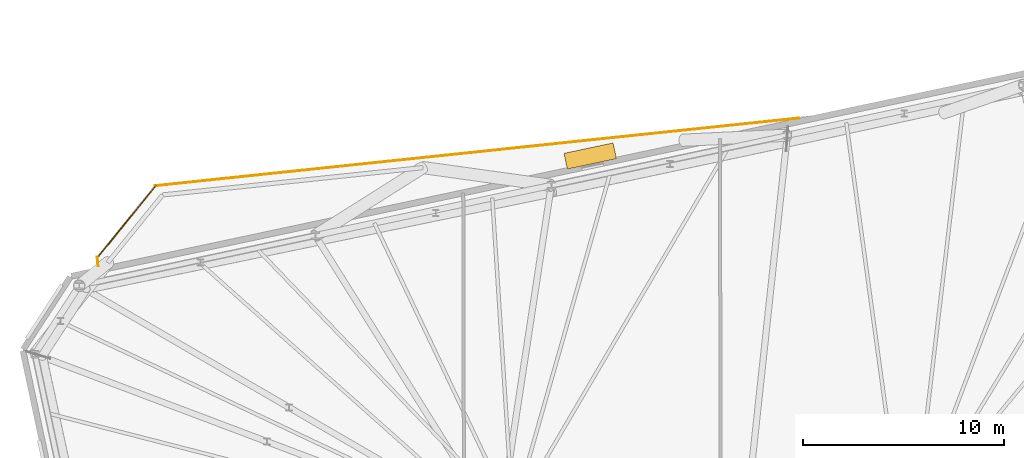
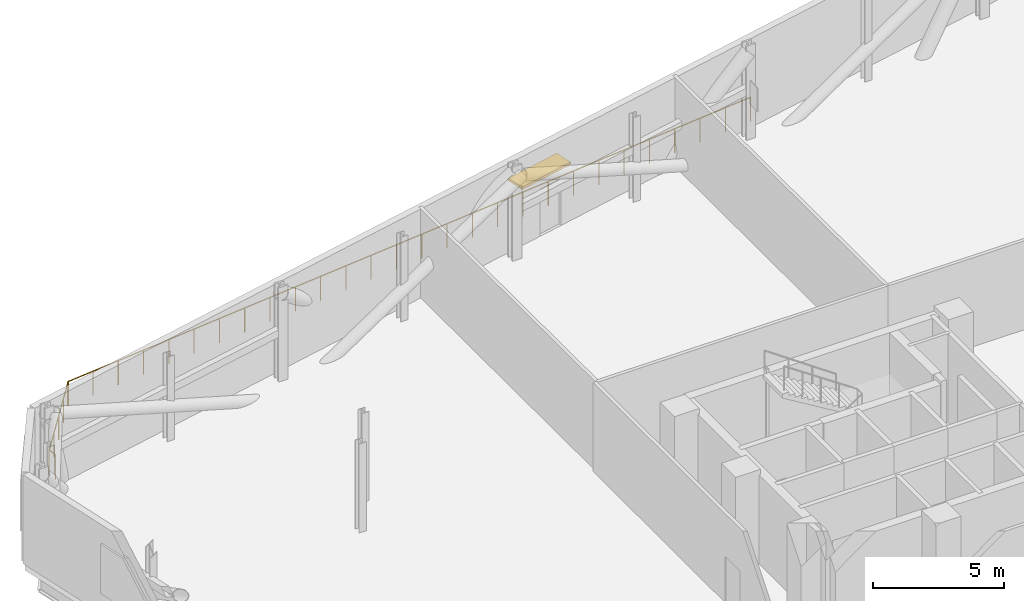
# One storey, part 18 of 19: 3 railings, 1 shading device.
"""IFC4 building model written with IfcOpenShell, lengths in metres."""

from ifc_helpers import new_model, si_unit, direction, frame, origin, origin_2d, place, context, subcontext, project, spatial, rectangle, circle, extrude, material, layer, layer_set, type_object, element, save


model = new_model("IFC4")

# Units and contexts
model_context = context("Model", 3, precision=1e-05, world=origin(), true_north=direction((0.0, 1.0)))
body_context = subcontext(model_context, "Body", "Model", "MODEL_VIEW")
ifc_project = project(units=[si_unit("LENGTHUNIT", "METRE"), si_unit("AREAUNIT", "SQUARE_METRE"), si_unit("VOLUMEUNIT", "CUBIC_METRE"), si_unit("PLANEANGLEUNIT", "RADIAN"), si_unit("MASSUNIT", "GRAM", prefix="KILO")], contexts=[model_context])

# Site, building, storey
site_placement = place(None, origin())
site = spatial("IfcSite", under=ifc_project, at=site_placement, CompositionType="ELEMENT")
building_placement = place(site_placement, origin())
building = spatial("IfcBuilding", under=site, at=building_placement, Name="Menara Jurai Vektor", CompositionType="ELEMENT")
storey_placement = place(building_placement, frame((0.0, 0.0, 142.89990234375)))
storey = spatial("IfcBuildingStorey", under=building, at=storey_placement, Name="L36", CompositionType="ELEMENT", Elevation=142.89990234375)

# Railings
ifc_material_1 = material(Name="Anodised Pale Aluminium & Laminated Glass Guardrail", Category="aluminium")
ifc_layer = layer(ifc_material_1, 0.070068359375)
ifc_layer_set = layer_set([ifc_layer], Name="Anodised Pale Aluminium & Laminated Glass Guardrail")
railing_type = type_object("IfcRailingType", Name="ENV-RAIL-TER115", PredefinedType="GUARDRAIL", material=ifc_layer_set)
railing_1_placement = place(storey_placement, frame((-0.28759765625, 25.393310546875, 0.0)))
element("IfcRailing", 1, at=railing_1_placement, inside=storey, type_object=railing_type, Name="Spiral Terrace Guardrail L36-STEP-01", PredefinedType="GUARDRAIL", context=body_context, shape_type="SweptSolid", body=[
    extrude(circle(Radius=0.02392578125, at=origin_2d()), frame((0.0, 0.0, 1.1259765625), z_axis=(-0.994521767664, -0.104529678286, 0.0), x_axis=(0.104529678286, -0.994521767664, 0.0)), (0.0, 0.0, 1.0), 32.28271484375),
    extrude(circle(Radius=0.02099609375, at=origin_2d()), origin(), (0.0, 0.0, 1.0), 1.101806640625),
    extrude(circle(Radius=0.02099609375, at=origin_2d()), frame((-1.189208984375, -0.125, 0.0)), (0.0, 0.0, 1.0), 1.101806640625),
    extrude(circle(Radius=0.02099609375, at=origin_2d()), frame((-2.378173828125, -0.25, 0.0)), (0.0, 0.0, 1.0), 1.101806640625),
    extrude(circle(Radius=0.02099609375, at=origin_2d()), frame((-3.5673828125, -0.375, 0.0)), (0.0, 0.0, 1.0), 1.101806640625),
    extrude(circle(Radius=0.02099609375, at=origin_2d()), frame((-4.75634765625, -0.5, 0.0)), (0.0, 0.0, 1.0), 1.101806640625),
    extrude(circle(Radius=0.02099609375, at=origin_2d()), frame((-5.945556640625, -0.625, 0.0)), (0.0, 0.0, 1.0), 1.101806640625),
    extrude(circle(Radius=0.02099609375, at=origin_2d()), frame((-7.134765625, -0.75, 0.0)), (0.0, 0.0, 1.0), 1.101806640625),
    extrude(circle(Radius=0.02099609375, at=origin_2d()), frame((-8.32373046875, -0.874755859375, 0.0)), (0.0, 0.0, 1.0), 1.101806640625),
    extrude(circle(Radius=0.02099609375, at=origin_2d()), frame((-9.512939453125, -0.999755859375, 0.0)), (0.0, 0.0, 1.0), 1.101806640625),
    extrude(circle(Radius=0.02099609375, at=origin_2d()), frame((-10.701904296875, -1.124755859375, 0.0)), (0.0, 0.0, 1.0), 1.101806640625),
    extrude(circle(Radius=0.02099609375, at=origin_2d()), frame((-11.89111328125, -1.249755859375, 0.0)), (0.0, 0.0, 1.0), 1.101806640625),
    extrude(circle(Radius=0.02099609375, at=origin_2d()), frame((-13.080322265625, -1.374755859375, 0.0)), (0.0, 0.0, 1.0), 1.101806640625),
    extrude(circle(Radius=0.02099609375, at=origin_2d()), frame((-14.269287109375, -1.499755859375, 0.0)), (0.0, 0.0, 1.0), 1.101806640625),
    extrude(circle(Radius=0.02099609375, at=origin_2d()), frame((-15.45849609375, -1.624755859375, 0.0)), (0.0, 0.0, 1.0), 1.101806640625),
    extrude(circle(Radius=0.02099609375, at=origin_2d()), frame((-16.6474609375, -1.749755859375, 0.0)), (0.0, 0.0, 1.0), 1.101806640625),
    extrude(circle(Radius=0.02099609375, at=origin_2d()), frame((-17.836669921875, -1.874755859375, 0.0)), (0.0, 0.0, 1.0), 1.101806640625),
    extrude(circle(Radius=0.02099609375, at=origin_2d()), frame((-19.025634765625, -1.999755859375, 0.0)), (0.0, 0.0, 1.0), 1.101806640625),
    extrude(circle(Radius=0.02099609375, at=origin_2d()), frame((-20.21484375, -2.124755859375, 0.0)), (0.0, 0.0, 1.0), 1.101806640625),
    extrude(circle(Radius=0.02099609375, at=origin_2d()), frame((-21.404052734375, -2.249755859375, 0.0)), (0.0, 0.0, 1.0), 1.101806640625),
    extrude(circle(Radius=0.02099609375, at=origin_2d()), frame((-22.593017578125, -2.374755859375, 0.0)), (0.0, 0.0, 1.0), 1.101806640625),
    extrude(circle(Radius=0.02099609375, at=origin_2d()), frame((-23.7822265625, -2.499755859375, 0.0)), (0.0, 0.0, 1.0), 1.101806640625),
    extrude(circle(Radius=0.02099609375, at=origin_2d()), frame((-24.97119140625, -2.62451171875, 0.0)), (0.0, 0.0, 1.0), 1.101806640625),
    extrude(circle(Radius=0.02099609375, at=origin_2d()), frame((-26.160400390625, -2.74951171875, 0.0)), (0.0, 0.0, 1.0), 1.101806640625),
    extrude(circle(Radius=0.02099609375, at=origin_2d()), frame((-27.349609375, -2.87451171875, 0.0)), (0.0, 0.0, 1.0), 1.101806640625),
    extrude(circle(Radius=0.02099609375, at=origin_2d()), frame((-28.53857421875, -2.99951171875, 0.0)), (0.0, 0.0, 1.0), 1.101806640625),
    extrude(circle(Radius=0.02099609375, at=origin_2d()), frame((-29.727783203125, -3.12451171875, 0.0)), (0.0, 0.0, 1.0), 1.101806640625),
    extrude(circle(Radius=0.02099609375, at=origin_2d()), frame((-30.916748046875, -3.24951171875, 0.0)), (0.0, 0.0, 1.0), 1.101806640625),
    extrude(circle(Radius=0.02099609375, at=origin_2d()), frame((-32.10595703125, -3.37451171875, 0.0)), (0.0, 0.0, 1.0), 1.101806640625),
])
railing_2_placement = place(storey_placement, frame((-32.353271484375, 22.04052734375, 0.0)))
element("IfcRailing", 2, at=railing_2_placement, inside=storey, type_object=railing_type, Name="Spiral Terrace Guardrail L36-STEP-02", PredefinedType="GUARDRAIL", context=body_context, shape_type="SweptSolid", body=[
    extrude(circle(Radius=0.02392578125, at=origin_2d()), frame((0.0, 0.0, 1.1259765625), z_axis=(-0.629341186592, -0.777129121099, 0.0), x_axis=(0.777129121099, -0.629341186592, 0.0)), (0.0, 0.0, 1.0), 4.666748046875),
    extrude(circle(Radius=0.02099609375, at=origin_2d()), origin(), (0.0, 0.0, 1.0), 1.101806640625),
    extrude(circle(Radius=0.02099609375, at=origin_2d()), frame((-0.734375, -0.90673828125, 0.0)), (0.0, 0.0, 1.0), 1.101806640625),
    extrude(circle(Radius=0.02099609375, at=origin_2d()), frame((-1.468505859375, -1.8134765625, 0.0)), (0.0, 0.0, 1.0), 1.101806640625),
    extrude(circle(Radius=0.02099609375, at=origin_2d()), frame((-2.20263671875, -2.719970703125, 0.0)), (0.0, 0.0, 1.0), 1.101806640625),
    extrude(circle(Radius=0.02099609375, at=origin_2d()), frame((-2.93701171875, -3.626708984375, 0.0)), (0.0, 0.0, 1.0), 1.101806640625),
])
railing_3_placement = place(storey_placement, frame((-35.277099609375, 18.4580078125, 0.0)))
element("IfcRailing", 3, at=railing_3_placement, inside=storey, type_object=railing_type, Name="Spiral Terrace Guardrail L36-STEP-03", PredefinedType="GUARDRAIL", context=body_context, shape_type="SweptSolid", body=[
    extrude(circle(Radius=0.02392578125, at=origin_2d()), frame((0.0, 0.0, 1.1259765625), z_axis=(0.104280540606, -0.994547921847, 0.0), x_axis=(0.994547921847, 0.104280540606, 0.0)), (0.0, 0.0, 1.0), 0.440185546875),
    extrude(circle(Radius=0.02099609375, at=origin_2d()), origin(), (0.0, 0.0, 1.0), 1.101806640625),
    extrude(circle(Radius=0.02099609375, at=origin_2d()), frame((0.0458984375, -0.437744140625, 0.0)), (0.0, 0.0, 1.0), 1.101806640625),
])

# Shading device
ifc_material_2 = material(Name="Anodised Pale Aluminium Sunshade Blade", Category="aluminium")
shading_device_type = type_object("IfcShadingDeviceType", Name="ENV-SHD-SUNSHADE", PredefinedType="USERDEFINED", material=ifc_material_2)
shading_device_placement = place(storey_placement, frame((-10.699462890625, 23.5068359375, 2.39013671875), z_axis=(0.0, 0.0, 1.0), x_axis=(-0.978147600734, -0.207911690818, 0.0)))
element("IfcShadingDevice", 4, at=shading_device_placement, inside=storey, type_object=shading_device_type, Name="Doorway Pale-Metal Sunshade L36-STEP", ObjectType="SUNSHADE", PredefinedType="USERDEFINED", context=body_context, shape_type="SweptSolid", body=[
    extrude(rectangle(XDim=2.5, YDim=0.800048828125, at=origin_2d()), origin(), (0.0, 0.0, 1.0), 0.1201171875),
])

save(model, "model.ifc")
